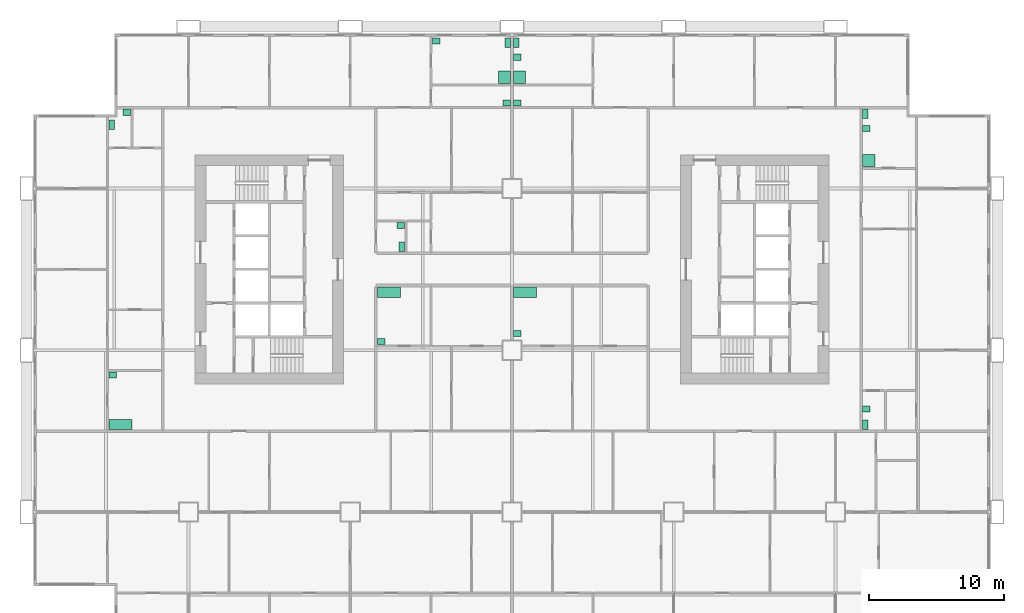
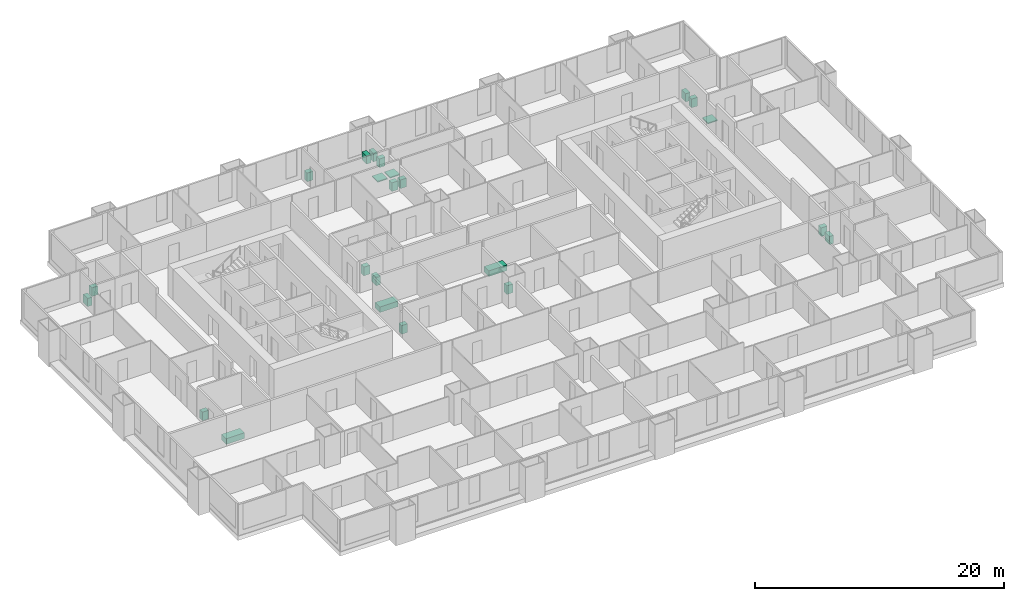
# One storey, part 14 of 14: 23 sanitary terminals.
"""IFC4 building model written with IfcOpenShell, lengths in metres."""

from ifc_helpers import new_model, si_unit, direction, frame, origin, origin_2d, place, context, subcontext, project, spatial, rectangle, extrude, material, type_object, element, save


model = new_model("IFC4")

# Units and contexts
model_context = context("Model", 3, precision=1e-05, world=origin(), true_north=direction((0.0, 1.0)))
body_context = subcontext(model_context, "Body", "Model", "MODEL_VIEW")
ifc_project = project(units=[si_unit("LENGTHUNIT", "METRE"), si_unit("AREAUNIT", "SQUARE_METRE"), si_unit("VOLUMEUNIT", "CUBIC_METRE"), si_unit("PLANEANGLEUNIT", "RADIAN"), si_unit("MASSUNIT", "GRAM", prefix="KILO")], contexts=[model_context])

# Site, building, storey
site_placement = place(None, origin())
site = spatial("IfcSite", under=ifc_project, at=site_placement, CompositionType="ELEMENT")
building_placement = place(site_placement, origin())
building = spatial("IfcBuilding", under=site, at=building_placement, Name="Kitamizu Gate Tower and Museum", CompositionType="ELEMENT")
storey_placement = place(building_placement, frame((0.0, 0.0, 33.449951171875)))
storey = spatial("IfcBuildingStorey", under=building, at=storey_placement, Name="L06", CompositionType="ELEMENT", Elevation=33.449951171875)

# Sanitary terminals
ifc_material_1 = material(Name="Acrylic")
sanitary_terminal_type_1 = type_object("IfcSanitaryTerminalType", Name="Bath", PredefinedType="BATH", material=ifc_material_1)
for number, where, z_axis, x_axis, name in (
    (1, (26.8701171875, 28.304931640625, 0.0009765625), (0.0, 0.0, 1.0), (1.0, 0.0, 0.0), "Bath Bathroom and WC 06A"),
    (2, (6.969970703125, 18.4951171875, 0.0009765625), (0.0, 0.0, 1.0), (1.0, 0.0, 0.0), "Bath Bathroom 06B"),
    (3, (36.969970703125, 28.304931640625, 0.0009765625), (0.0, 0.0, 1.0), (1.0, 0.0, 0.0), "Bath Bathroom and WC 06C"),
):
    element("IfcSanitaryTerminal", number, at=place(storey_placement, frame(where, z_axis=z_axis, x_axis=x_axis)), inside=storey, type_object=sanitary_terminal_type_1, Name=name, PredefinedType="BATH", context=body_context, shape_type="SweptSolid", body=[
        extrude(rectangle(XDim=1.699951171875, YDim=0.75, at=origin_2d()), origin(), (0.0, 0.0, 1.0), 0.550048828125),
    ])
ifc_material_2 = material(Name="Acrylic")
sanitary_terminal_type_2 = type_object("IfcSanitaryTerminalType", Name="Shower tray", PredefinedType="SHOWER", material=ifc_material_2)
for number, where, z_axis, x_axis, name in (
    (4, (62.469970703125, 38.070068359375, 0.0009765625), (0.0, 0.0, 1.0), (1.0, 0.0, 0.0), "Shower tray En-suite bathroom 06D"),
    (5, (35.429931640625, 44.25, 0.0009765625), (0.0, 0.0, 1.0), (1.0, 0.0, 0.0), "Shower tray En-suite bathroom 06E"),
    (6, (36.570068359375, 44.25, 0.0009765625), (0.0, 0.0, 1.0), (1.0, 0.0, 0.0), "Shower tray En-suite bathroom and WC 06F"),
):
    element("IfcSanitaryTerminal", number, at=place(storey_placement, frame(where, z_axis=z_axis, x_axis=x_axis)), inside=storey, type_object=sanitary_terminal_type_2, Name=name, PredefinedType="SHOWER", context=body_context, shape_type="SweptSolid", body=[
        extrude(rectangle(XDim=0.89990234375, YDim=0.89990234375, at=origin_2d()), origin(), (0.0, 0.0, 1.0), 0.10009765625),
    ])
ifc_material_3 = material(Name="Vitreous china")
sanitary_terminal_type_3 = type_object("IfcSanitaryTerminalType", Name="Wash hand basin", PredefinedType="WASHHANDBASIN", material=ifc_material_3)
for number, where, z_axis, x_axis, name in (
    (7, (26.294921875, 24.64501953125, 0.0009765625), (0.0, 0.0, 1.0), (1.0, 0.0, 0.0), "Wash hand basin Bathroom and WC 06A"),
    (8, (6.39501953125, 22.155029296875, 0.0009765625), (0.0, 0.0, 1.0), (1.0, 0.0, 0.0), "Wash hand basin Bathroom 06B"),
    (9, (7.405029296875, 41.655029296875, 0.0009765625), (0.0, 0.0, 1.0), (1.0, 0.0, 0.0), "Wash hand basin WC 06B"),
    (10, (36.39501953125, 25.2451171875, 0.0009765625), (0.0, 0.0, 1.0), (1.0, 0.0, 0.0), "Wash hand basin Bathroom and WC 06C"),
    (11, (62.294921875, 19.655029296875, 0.0009765625), (0.0, 0.0, 1.0), (1.0, 0.0, 0.0), "Wash hand basin WC 06D"),
    (12, (62.294921875, 40.455078125, 0.0009765625), (0.0, 0.0, 1.0), (1.0, 0.0, 0.0), "Wash hand basin En-suite bathroom 06D"),
    (13, (30.39501953125, 46.93505859375, 0.0009765625), (0.0, 0.0, 1.0), (1.0, 0.0, 0.0), "Wash hand basin En-suite bathroom 06E"),
    (14, (35.60498046875, 42.344970703125, 0.0009765625), (0.0, 0.0, 1.0), (1.0, 0.0, 0.0), "Wash hand basin Wash room 06E"),
    (15, (27.7548828125, 33.2548828125, 0.0009765625), (0.0, 0.0, 1.0), (1.0, 0.0, 0.0), "Wash hand basin WC 06E"),
    (16, (36.39501953125, 45.735107421875, 0.0009765625), (0.0, 0.0, 1.0), (1.0, 0.0, 0.0), "Wash hand basin En-suite bathroom and WC 06F"),
    (17, (36.39501953125, 42.344970703125, 0.0009765625), (0.0, 0.0, 1.0), (1.0, 0.0, 0.0), "Wash hand basin Wash room 06F"),
):
    element("IfcSanitaryTerminal", number, at=place(storey_placement, frame(where, z_axis=z_axis, x_axis=x_axis)), inside=storey, type_object=sanitary_terminal_type_3, Name=name, PredefinedType="WASHHANDBASIN", context=body_context, shape_type="SweptSolid", body=[
        extrude(rectangle(XDim=0.550048828125, YDim=0.449951171875, at=origin_2d()), origin(), (0.0, 0.0, 1.0), 0.85009765625),
    ])
ifc_material_4 = material(Name="Vitreous china")
sanitary_terminal_type_4 = type_object("IfcSanitaryTerminalType", Name="Water closet", PredefinedType="TOILETPAN", material=ifc_material_4)
for number, where, z_axis, x_axis, name in (
    (18, (6.320068359375, 40.72998046875, 0.0009765625), (0.0, 0.0, 1.0), (1.0, 0.0, 0.0), "Water closet WC 06B"),
    (19, (62.219970703125, 18.469970703125, 0.0009765625), (0.0, 0.0, 1.0), (1.0, 0.0, 0.0), "Water closet WC 06D"),
    (20, (62.219970703125, 41.530029296875, 0.0009765625), (0.0, 0.0, 1.0), (1.0, 0.0, 0.0), "Water closet En-suite bathroom 06D"),
    (21, (35.679931640625, 46.81005859375, 0.0009765625), (0.0, 0.0, 1.0), (1.0, 0.0, 0.0), "Water closet En-suite bathroom 06E"),
    (22, (27.830078125, 31.669921875, 0.0009765625), (0.0, 0.0, 1.0), (1.0, 0.0, 0.0), "Water closet WC 06E"),
    (23, (36.320068359375, 46.81005859375, 0.0009765625), (0.0, 0.0, 1.0), (1.0, 0.0, 0.0), "Water closet En-suite bathroom and WC 06F"),
):
    element("IfcSanitaryTerminal", number, at=place(storey_placement, frame(where, z_axis=z_axis, x_axis=x_axis)), inside=storey, type_object=sanitary_terminal_type_4, Name=name, PredefinedType="TOILETPAN", context=body_context, shape_type="SweptSolid", body=[
        extrude(rectangle(XDim=0.39990234375, YDim=0.699951171875, at=origin_2d()), origin(), (0.0, 0.0, 1.0), 0.800048828125),
    ])

save(model, "model.ifc")
